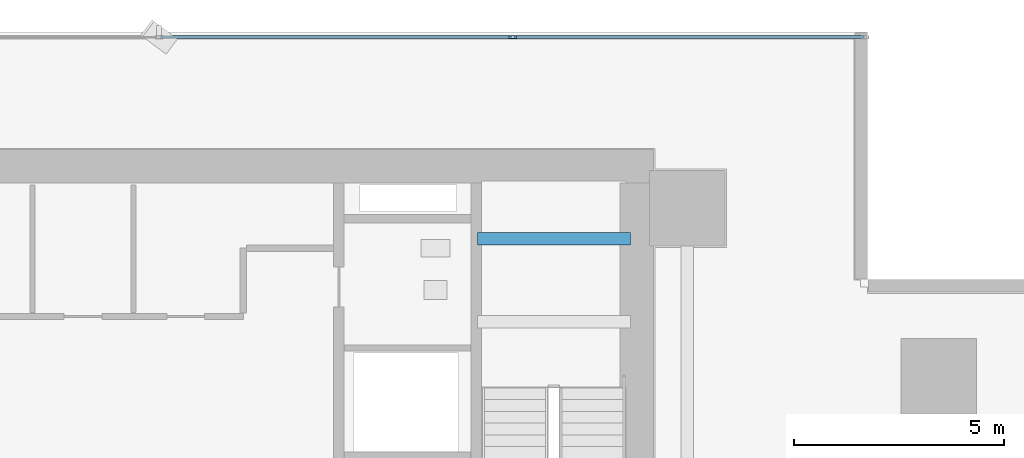
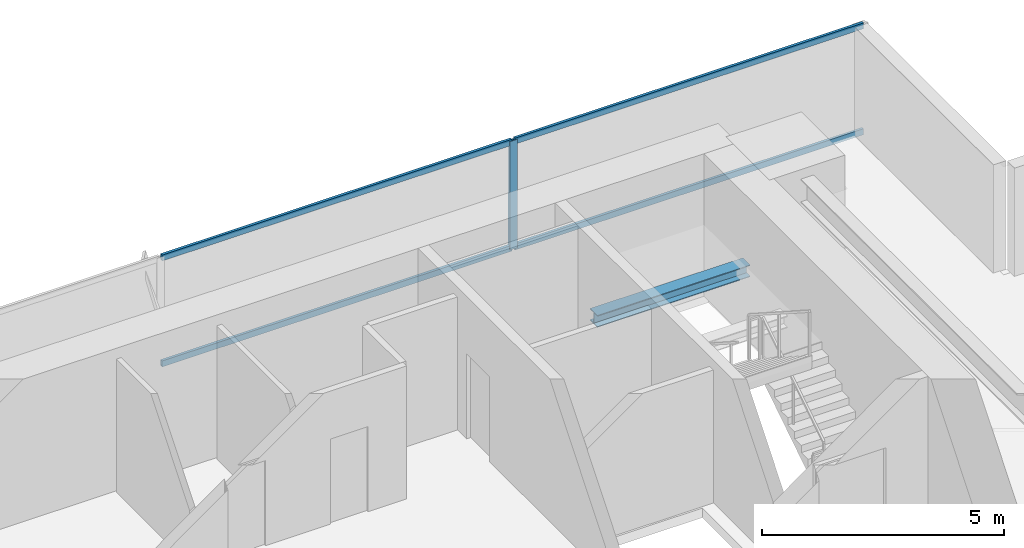
# One storey, part 21 of 32: 5 members, 1 beam, 1 element without a shape of its own.
"""IFC4 building model written with IfcOpenShell, lengths in metres."""

from ifc_helpers import new_model, si_unit, direction, frame, origin, origin_2d, place, context, subcontext, project, spatial, hollow_rectangle, i_section, extrude, source, transform, mapped, material, layer, layer_set, material_profile, profile_set, type_object, element, aggregate, save


model = new_model("IFC4")

# Units and contexts
model_context = context("Model", 3, precision=1e-05, world=origin(), true_north=direction((0.0, 1.0)))
body_context = subcontext(model_context, "Body", "Model", "MODEL_VIEW")
ifc_project = project(units=[si_unit("LENGTHUNIT", "METRE"), si_unit("AREAUNIT", "SQUARE_METRE"), si_unit("VOLUMEUNIT", "CUBIC_METRE"), si_unit("PLANEANGLEUNIT", "RADIAN"), si_unit("MASSUNIT", "GRAM", prefix="KILO")], contexts=[model_context])

# Site, building, storey
site_placement = place(None, origin())
site = spatial("IfcSite", under=ifc_project, at=site_placement, CompositionType="ELEMENT")
building_placement = place(site_placement, origin())
building = spatial("IfcBuilding", under=site, at=building_placement, Name="Sumidabori Civic Tower", CompositionType="ELEMENT")
storey_placement = place(building_placement, frame((0.0, 0.0, 48.800048828125)))
storey = spatial("IfcBuildingStorey", under=building, at=storey_placement, Name="L12", CompositionType="ELEMENT", Elevation=48.800048828125)

# Beam
ifc_material_1 = material(Name="Steel SN490", Category="steel")
ifc_material_profile_1 = material_profile(ifc_material_1, i_section(OverallWidth=0.300048828125, OverallDepth=0.300048828125, WebThickness=0.010986328125, FlangeThickness=0.01904296875, at=origin_2d()), Name="HE 300 B")
ifc_profile_set_1 = profile_set([ifc_material_profile_1], Name="Steel SN490")
beam_type = type_object("IfcBeamType", Name="BM-LDG-300", PredefinedType="BEAM", material=ifc_profile_set_1)
shared_shape_1 = source(origin(), body_context, "Body", "SweptSolid", [
    extrude(i_section(OverallWidth=0.300048828125, OverallDepth=0.300048828125, WebThickness=0.010986328125, FlangeThickness=0.01904296875, at=origin_2d()), origin(), (0.0, 0.0, 1.0), 3.64990234375),
])
beam_placement = place(storey_placement, frame((11.800048828125, 22.069580078125, 1.449951171875), z_axis=(1.0, 0.0, 0.0), x_axis=(0.0, 1.0, 0.0)))
element("IfcBeam", 1, at=beam_placement, inside=storey, type_object=beam_type, Name="Stair ST-2 Landing Trimmer Beam L12-1B", PredefinedType="BEAM", context=body_context, shape_type="MappedRepresentation", body=[
    mapped(shared_shape_1, transform((0.0, 0.0, 0.0), x_axis=(1.0, 0.0, 0.0), y_axis=(0.0, 1.0, 0.0), z_axis=(0.0, 0.0, 1.0), scale=1.0)),
])

# Curtain wall, members
ifc_material_2 = material(Name="Anodised Bronze Aluminium AW-6063-T6", Category="aluminium")
ifc_layer = layer(ifc_material_2, 0.179931640625, Name="Anodised Bronze Aluminium AW-6063-T6")
ifc_layer_set = layer_set([ifc_layer], Name="Anodised Bronze Aluminium AW-6063-T6")
curtain_wall_type = type_object("IfcCurtainWallType", Name="CW-SYS-2", PredefinedType="NOTDEFINED", material=ifc_layer_set)
curtain_wall_placement = place(storey_placement, origin())
curtain_wall = element("IfcCurtainWall", 2, at=curtain_wall_placement, inside=storey, type_object=curtain_wall_type, Name="Curtain Wall CW:L12:R07", PredefinedType="NOTDEFINED")
ifc_material_profile_2 = material_profile(ifc_material_2, hollow_rectangle(XDim=0.070068359375, YDim=0.179931640625, WallThickness=0.006103515625, at=origin_2d()), Name="ALU MULLION 180x70")
ifc_profile_set_2 = profile_set([ifc_material_profile_2], Name="Anodised Bronze Aluminium AW-6063-T6")
member_type_1 = type_object("IfcMemberType", Name="CW-MUL-180", PredefinedType="MULLION", material=ifc_profile_set_2)
shared_shape_2 = source(origin(), body_context, "Body", "SweptSolid", [
    extrude(hollow_rectangle(XDim=0.070068359375, YDim=0.179931640625, WallThickness=0.006103515625, at=origin_2d()), origin(), (0.0, 0.0, 1.0), 2.739990234375),
])
member_1_placement = place(storey_placement, frame((12.64208984375, 26.8798828125, 0.0), z_axis=(0.0, 0.0, 1.0), x_axis=(0.0, -1.0, 0.0)))
member_1 = element("IfcMember", 3, at=member_1_placement, type_object=member_type_1, Name="CW-2 mullion 2", PredefinedType="MULLION", context=body_context, shape_type="MappedRepresentation", body=[
    mapped(shared_shape_2, transform((0.0, 0.0, 0.0), x_axis=(1.0, 0.0, 0.0), y_axis=(0.0, 1.0, 0.0), z_axis=(0.0, 0.0, 1.0), scale=1.0)),
])
ifc_material_profile_3 = material_profile(ifc_material_2, hollow_rectangle(XDim=0.06494140625, YDim=0.14990234375, WallThickness=0.0048828125, at=origin_2d()), Name="ALU TRANSOM 150x65")
ifc_profile_set_3 = profile_set([ifc_material_profile_3], Name="Anodised Bronze Aluminium AW-6063-T6")
member_type_2 = type_object("IfcMemberType", Name="CW-TRN-150", PredefinedType="USERDEFINED", material=ifc_profile_set_3)
shared_shape_3 = source(origin(), body_context, "Body", "SweptSolid", [
    extrude(hollow_rectangle(XDim=0.06494140625, YDim=0.14990234375, WallThickness=0.0048828125, at=origin_2d()), origin(), (0.0, 0.0, 1.0), 8.322998046875),
])
member_2_placement = place(storey_placement, frame((21.0, 26.8798828125, 0.032470703125), z_axis=(-1.0, 0.0, 0.0), x_axis=(0.0, -1.0, 0.0)))
member_2 = element("IfcMember", 4, at=member_2_placement, type_object=member_type_2, Name="CW-2 transom 1.1", ObjectType="TRANSOM", PredefinedType="USERDEFINED", context=body_context, shape_type="MappedRepresentation", body=[
    mapped(shared_shape_3, transform((0.0, 0.0, 0.0), x_axis=(1.0, 0.0, 0.0), y_axis=(0.0, 1.0, 0.0), z_axis=(0.0, 0.0, 1.0), scale=1.0)),
])
member_3_placement = place(storey_placement, frame((21.0, 26.8798828125, 2.70751953125), z_axis=(-1.0, 0.0, 0.0), x_axis=(0.0, -1.0, 0.0)))
member_3 = element("IfcMember", 5, at=member_3_placement, type_object=member_type_2, Name="CW-2 transom 1.2", ObjectType="TRANSOM", PredefinedType="USERDEFINED", context=body_context, shape_type="MappedRepresentation", body=[
    mapped(shared_shape_3, transform((0.0, 0.0, 0.0), x_axis=(1.0, 0.0, 0.0), y_axis=(0.0, 1.0, 0.0), z_axis=(0.0, 0.0, 1.0), scale=1.0)),
])
shared_shape_4 = source(origin(), body_context, "Body", "SweptSolid", [
    extrude(hollow_rectangle(XDim=0.06494140625, YDim=0.14990234375, WallThickness=0.0048828125, at=origin_2d()), origin(), (0.0, 0.0, 1.0), 8.35791015625),
])
member_4_placement = place(storey_placement, frame((12.60693359375, 26.8798828125, 0.032470703125), z_axis=(-1.0, 0.0, 0.0), x_axis=(0.0, -1.0, 0.0)))
member_4 = element("IfcMember", 6, at=member_4_placement, type_object=member_type_2, Name="CW-2 transom 2.1", ObjectType="TRANSOM", PredefinedType="USERDEFINED", context=body_context, shape_type="MappedRepresentation", body=[
    mapped(shared_shape_4, transform((0.0, 0.0, 0.0), x_axis=(1.0, 0.0, 0.0), y_axis=(0.0, 1.0, 0.0), z_axis=(0.0, 0.0, 1.0), scale=1.0)),
])
member_5_placement = place(storey_placement, frame((12.60693359375, 26.8798828125, 2.70751953125), z_axis=(-1.0, 0.0, 0.0), x_axis=(0.0, -1.0, 0.0)))
member_5 = element("IfcMember", 7, at=member_5_placement, type_object=member_type_2, Name="CW-2 transom 2.2", ObjectType="TRANSOM", PredefinedType="USERDEFINED", context=body_context, shape_type="MappedRepresentation", body=[
    mapped(shared_shape_4, transform((0.0, 0.0, 0.0), x_axis=(1.0, 0.0, 0.0), y_axis=(0.0, 1.0, 0.0), z_axis=(0.0, 0.0, 1.0), scale=1.0)),
])
aggregate(curtain_wall, [member_1, member_2, member_3, member_4, member_5])

save(model, "model.ifc")
